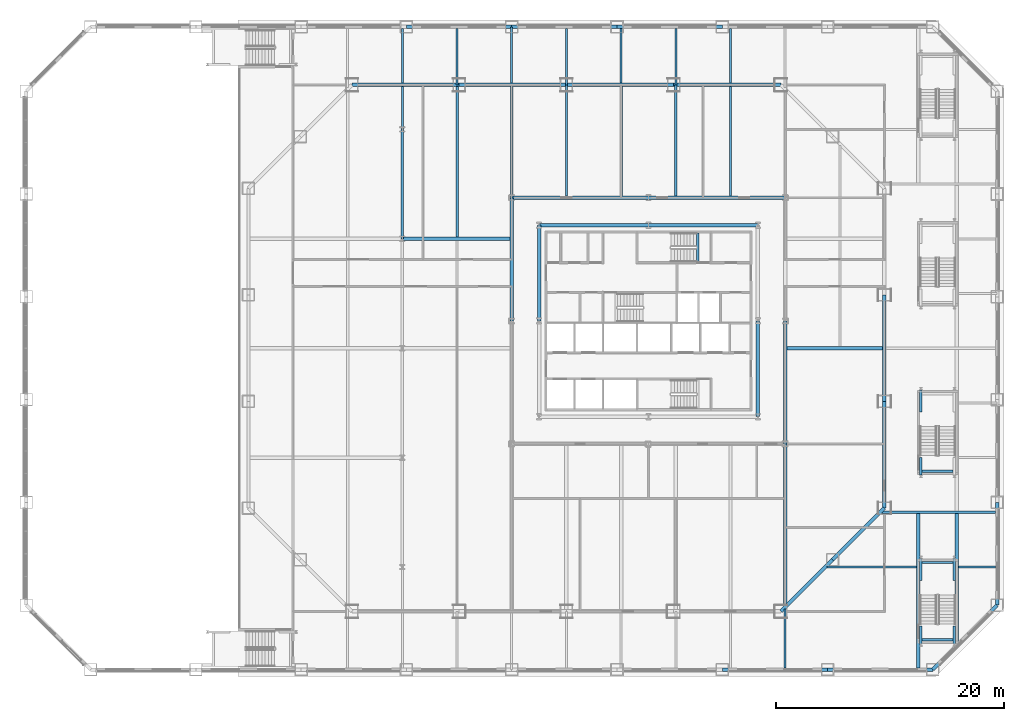
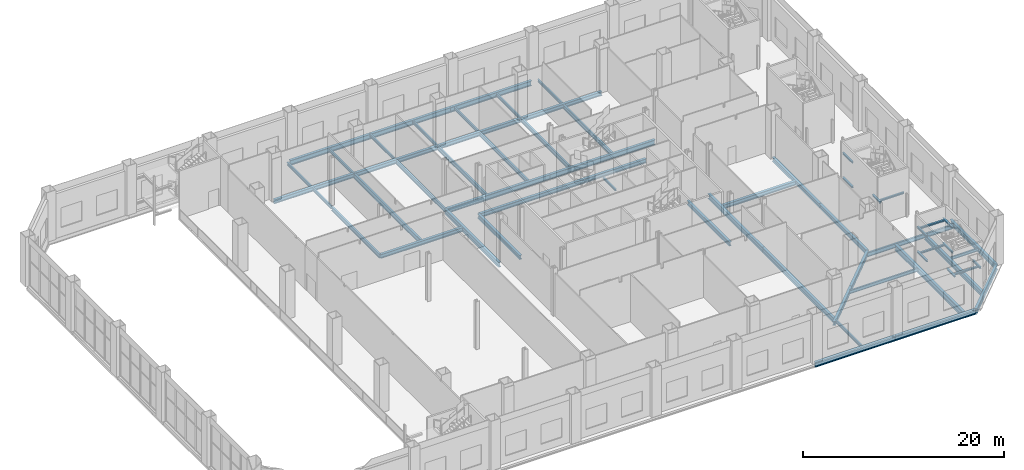
# One storey, part 12 of 31: 61 beams.
"""IFC4 building model written with IfcOpenShell, lengths in metres."""

from ifc_helpers import new_model, si_unit, direction, frame, origin, origin_2d, place, context, subcontext, project, spatial, i_section, extrude, material, material_profile, profile_set, type_object, element, save


model = new_model("IFC4")

# Units and contexts
model_context = context("Model", 3, precision=1e-05, world=origin(), true_north=direction((0.0, 1.0)))
body_context = subcontext(model_context, "Body", "Model", "MODEL_VIEW")
ifc_project = project(units=[si_unit("LENGTHUNIT", "METRE"), si_unit("AREAUNIT", "SQUARE_METRE"), si_unit("VOLUMEUNIT", "CUBIC_METRE"), si_unit("PLANEANGLEUNIT", "RADIAN"), si_unit("MASSUNIT", "GRAM", prefix="KILO")], contexts=[model_context])

# Site, building, storey
site_placement = place(None, origin())
site = spatial("IfcSite", under=ifc_project, at=site_placement, CompositionType="ELEMENT")
building_placement = place(site_placement, origin())
building = spatial("IfcBuilding", under=site, at=building_placement, Name="Cairn Pilgrim Tower", CompositionType="ELEMENT")
storey_placement = place(building_placement, frame((0.0, 0.0, 15.0)))
storey = spatial("IfcBuildingStorey", under=building, at=storey_placement, Name="L02", CompositionType="ELEMENT", Elevation=15.0)

# Beams
ifc_material = material(Name="Structural steel S355J2", Category="steel")
ifc_material_profile_1 = material_profile(ifc_material, i_section(OverallWidth=0.300048828125, OverallDepth=0.60009765625, WebThickness=0.015380859375, FlangeThickness=0.030029296875, FilletRadius=0.027099609375, at=origin_2d()), Name="HEB 600")
ifc_profile_set_1 = profile_set([ifc_material_profile_1], Name="Structural steel S355J2")
beam_type_1 = type_object("IfcBeamType", Name="PODIUM BEAM HE 600 B", PredefinedType="BEAM", material=ifc_profile_set_1)
beam_1_placement = place(storey_placement, frame((19.199951171875, -22.5751953125, -0.5), z_axis=(0.0, 1.0, 0.0), x_axis=(-1.0, 0.0, 0.0)))
element("IfcBeam", 1, at=beam_1_placement, inside=storey, type_object=beam_type_1, Name="PODIUM BEAM PB-HE600B", PredefinedType="BEAM", context=body_context, shape_type="SweptSolid", body=[
    extrude(i_section(OverallWidth=0.300048828125, OverallDepth=0.60009765625, WebThickness=0.015380859375, FlangeThickness=0.030029296875, FilletRadius=0.027099609375, at=origin_2d()), origin(), (0.0, 0.0, 1.0), 14.17529296875),
])
ifc_material_profile_2 = material_profile(ifc_material, i_section(OverallWidth=0.169921875, OverallDepth=0.360107421875, WebThickness=0.008056640625, FlangeThickness=0.0126953125, FilletRadius=0.01806640625, at=origin_2d()), Name="IPE 360")
ifc_profile_set_2 = profile_set([ifc_material_profile_2], Name="Structural steel S355J2")
beam_type_2 = type_object("IfcBeamType", Name="PODIUM BEAM IPE 360", PredefinedType="BEAM", material=ifc_profile_set_2)
beam_2_placement = place(storey_placement, frame((-14.39990234375, 19.199951171875, -0.3798828125), z_axis=(0.0, 1.0, 0.0), x_axis=(-1.0, 0.0, 0.0)))
element("IfcBeam", 2, at=beam_2_placement, inside=storey, type_object=beam_type_2, Name="PODIUM BEAM PB-IPE360", PredefinedType="BEAM", context=body_context, shape_type="SweptSolid", body=[
    extrude(i_section(OverallWidth=0.169921875, OverallDepth=0.360107421875, WebThickness=0.008056640625, FlangeThickness=0.0126953125, FilletRadius=0.01806640625, at=origin_2d()), origin(), (0.0, 0.0, 1.0), 3.748046875),
])
beam_3_placement = place(storey_placement, frame((34.422119140625, -19.199951171875, -0.3798828125), z_axis=(1.0, 0.0, 0.0), x_axis=(0.0, 1.0, 0.0)))
element("IfcBeam", 3, at=beam_3_placement, inside=storey, type_object=beam_type_2, Name="PODIUM BEAM PB-IPE360", PredefinedType="BEAM", context=body_context, shape_type="SweptSolid", body=[
    extrude(i_section(OverallWidth=0.169921875, OverallDepth=0.360107421875, WebThickness=0.008056640625, FlangeThickness=0.0126953125, FilletRadius=0.01806640625, at=origin_2d()), origin(), (0.0, 0.0, 1.0), 3.225830078125),
])
beam_4_placement = place(storey_placement, frame((-14.39990234375, 23.251953125, -0.3798828125), z_axis=(0.0, 1.0, 0.0), x_axis=(-1.0, 0.0, 0.0)))
element("IfcBeam", 4, at=beam_4_placement, inside=storey, type_object=beam_type_2, Name="PODIUM BEAM PB-IPE360", PredefinedType="BEAM", context=body_context, shape_type="SweptSolid", body=[
    extrude(i_section(OverallWidth=0.169921875, OverallDepth=0.360107421875, WebThickness=0.008056640625, FlangeThickness=0.0126953125, FilletRadius=0.01806640625, at=origin_2d()), origin(), (0.0, 0.0, 1.0), 4.796142578125),
])
for number, where, z_axis, x_axis, name in (
    (5, (-9.60009765625, 23.10009765625, -0.3798828125), (0.0, 1.0, 0.0), (-1.0, 0.0, 0.0), "PODIUM BEAM PB-IPE360"),
    (6, (-4.800048828125, 23.251953125, -0.3798828125), (0.0, 1.0, 0.0), (-1.0, 0.0, 0.0), "PODIUM BEAM PB-IPE360"),
    (7, (0.0, 23.10009765625, -0.3798828125), (0.0, 1.0, 0.0), (-1.0, 0.0, 0.0), "PODIUM BEAM PB-IPE360"),
):
    element("IfcBeam", number, at=place(storey_placement, frame(where, z_axis=z_axis, x_axis=x_axis)), inside=storey, type_object=beam_type_2, Name=name, PredefinedType="BEAM", context=body_context, shape_type="SweptSolid", body=[
        extrude(i_section(OverallWidth=0.169921875, OverallDepth=0.360107421875, WebThickness=0.008056640625, FlangeThickness=0.0126953125, FilletRadius=0.01806640625, at=origin_2d()), origin(), (0.0, 0.0, 1.0), 4.947998046875),
    ])
beam_5_placement = place(storey_placement, frame((4.800048828125, 23.251953125, -0.3798828125), z_axis=(0.0, 1.0, 0.0), x_axis=(-1.0, 0.0, 0.0)))
element("IfcBeam", 8, at=beam_5_placement, inside=storey, type_object=beam_type_2, Name="PODIUM BEAM PB-IPE360", PredefinedType="BEAM", context=body_context, shape_type="SweptSolid", body=[
    extrude(i_section(OverallWidth=0.169921875, OverallDepth=0.360107421875, WebThickness=0.008056640625, FlangeThickness=0.0126953125, FilletRadius=0.01806640625, at=origin_2d()), origin(), (0.0, 0.0, 1.0), 4.796142578125),
])
beam_6_placement = place(storey_placement, frame((9.60009765625, 23.10009765625, -0.3798828125), z_axis=(0.0, 1.0, 0.0), x_axis=(-1.0, 0.0, 0.0)))
element("IfcBeam", 9, at=beam_6_placement, inside=storey, type_object=beam_type_2, Name="PODIUM BEAM PB-IPE360", PredefinedType="BEAM", context=body_context, shape_type="SweptSolid", body=[
    extrude(i_section(OverallWidth=0.169921875, OverallDepth=0.360107421875, WebThickness=0.008056640625, FlangeThickness=0.0126953125, FilletRadius=0.01806640625, at=origin_2d()), origin(), (0.0, 0.0, 1.0), 4.947998046875),
])
beam_7_placement = place(storey_placement, frame((14.39990234375, 23.251953125, -0.3798828125), z_axis=(0.0, 1.0, 0.0), x_axis=(-1.0, 0.0, 0.0)))
element("IfcBeam", 10, at=beam_7_placement, inside=storey, type_object=beam_type_2, Name="PODIUM BEAM PB-IPE360", PredefinedType="BEAM", context=body_context, shape_type="SweptSolid", body=[
    extrude(i_section(OverallWidth=0.169921875, OverallDepth=0.360107421875, WebThickness=0.008056640625, FlangeThickness=0.0126953125, FilletRadius=0.01806640625, at=origin_2d()), origin(), (0.0, 0.0, 1.0), 4.796142578125),
])
beam_8_placement = place(storey_placement, frame((19.199951171875, -28.048095703125, -0.3798828125), z_axis=(0.0, 1.0, 0.0), x_axis=(-1.0, 0.0, 0.0)))
element("IfcBeam", 11, at=beam_8_placement, inside=storey, type_object=beam_type_2, Name="PODIUM BEAM PB-IPE360", PredefinedType="BEAM", context=body_context, shape_type="SweptSolid", body=[
    extrude(i_section(OverallWidth=0.169921875, OverallDepth=0.360107421875, WebThickness=0.008056640625, FlangeThickness=0.0126953125, FilletRadius=0.01806640625, at=origin_2d()), origin(), (0.0, 0.0, 1.0), 5.1689453125),
])
ifc_material_profile_3 = material_profile(ifc_material, i_section(OverallWidth=0.179931640625, OverallDepth=0.39990234375, WebThickness=0.008544921875, FlangeThickness=0.013427734375, FilletRadius=0.02099609375, at=origin_2d()), Name="IPE 400")
ifc_profile_set_3 = profile_set([ifc_material_profile_3], Name="Structural steel S355J2")
beam_type_3 = type_object("IfcBeamType", Name="PODIUM BEAM IPE 400", PredefinedType="BEAM", material=ifc_profile_set_3)
beam_9_placement = place(storey_placement, frame((22.879150390625, -19.199951171875, -0.39990234375), z_axis=(1.0, 0.0, 0.0), x_axis=(0.0, 1.0, 0.0)))
element("IfcBeam", 12, at=beam_9_placement, inside=storey, type_object=beam_type_3, Name="PODIUM BEAM PB-IPE400", PredefinedType="BEAM", context=body_context, shape_type="SweptSolid", body=[
    extrude(i_section(OverallWidth=0.179931640625, OverallDepth=0.39990234375, WebThickness=0.008544921875, FlangeThickness=0.013427734375, FilletRadius=0.02099609375, at=origin_2d()), origin(), (0.0, 0.0, 1.0), 7.848876953125),
])
ifc_material_profile_4 = material_profile(ifc_material, i_section(OverallWidth=0.199951171875, OverallDepth=0.5, WebThickness=0.01025390625, FlangeThickness=0.01611328125, FilletRadius=0.02099609375, at=origin_2d()), Name="IPE 500")
ifc_profile_set_4 = profile_set([ifc_material_profile_4], Name="Structural steel S355J2")
beam_type_4 = type_object("IfcBeamType", Name="PODIUM BEAM IPE 500", PredefinedType="BEAM", material=ifc_profile_set_4)
beam_10_placement = place(storey_placement, frame((-14.39990234375, 9.60009765625, -0.449951171875), z_axis=(0.0, 1.0, 0.0), x_axis=(-1.0, 0.0, 0.0)))
element("IfcBeam", 13, at=beam_10_placement, inside=storey, type_object=beam_type_4, Name="PODIUM BEAM PB-IPE500", PredefinedType="BEAM", context=body_context, shape_type="SweptSolid", body=[
    extrude(i_section(OverallWidth=0.199951171875, OverallDepth=0.5, WebThickness=0.01025390625, FlangeThickness=0.01611328125, FilletRadius=0.02099609375, at=origin_2d()), origin(), (0.0, 0.0, 1.0), 9.599853515625),
])
for number, where, z_axis, x_axis, name in (
    (14, (-4.800048828125, 13.199951171875, -0.449951171875), (0.0, 1.0, 0.0), (-1.0, 0.0, 0.0), "PODIUM BEAM PB-IPE500"),
    (15, (0.0, 13.35205078125, -0.449951171875), (0.0, 1.0, 0.0), (-1.0, 0.0, 0.0), "PODIUM BEAM PB-IPE500"),
):
    element("IfcBeam", number, at=place(storey_placement, frame(where, z_axis=z_axis, x_axis=x_axis)), inside=storey, type_object=beam_type_4, Name=name, PredefinedType="BEAM", context=body_context, shape_type="SweptSolid", body=[
        extrude(i_section(OverallWidth=0.199951171875, OverallDepth=0.5, WebThickness=0.01025390625, FlangeThickness=0.01611328125, FilletRadius=0.02099609375, at=origin_2d()), origin(), (0.0, 0.0, 1.0), 9.748046875),
    ])
beam_11_placement = place(storey_placement, frame((4.800048828125, 13.35205078125, -0.449951171875), z_axis=(0.0, 1.0, 0.0), x_axis=(-1.0, 0.0, 0.0)))
element("IfcBeam", 16, at=beam_11_placement, inside=storey, type_object=beam_type_4, Name="PODIUM BEAM PB-IPE500", PredefinedType="BEAM", context=body_context, shape_type="SweptSolid", body=[
    extrude(i_section(OverallWidth=0.199951171875, OverallDepth=0.5, WebThickness=0.01025390625, FlangeThickness=0.01611328125, FilletRadius=0.02099609375, at=origin_2d()), origin(), (0.0, 0.0, 1.0), 9.595947265625),
])
beam_12_placement = place(storey_placement, frame((9.60009765625, 13.35205078125, -0.449951171875), z_axis=(0.0, 1.0, 0.0), x_axis=(-1.0, 0.0, 0.0)))
element("IfcBeam", 17, at=beam_12_placement, inside=storey, type_object=beam_type_4, Name="PODIUM BEAM PB-IPE500", PredefinedType="BEAM", context=body_context, shape_type="SweptSolid", body=[
    extrude(i_section(OverallWidth=0.199951171875, OverallDepth=0.5, WebThickness=0.01025390625, FlangeThickness=0.01611328125, FilletRadius=0.02099609375, at=origin_2d()), origin(), (0.0, 0.0, 1.0), 9.748046875),
])
beam_13_placement = place(storey_placement, frame((14.39990234375, 13.35205078125, -0.449951171875), z_axis=(0.0, 1.0, 0.0), x_axis=(-1.0, 0.0, 0.0)))
element("IfcBeam", 18, at=beam_13_placement, inside=storey, type_object=beam_type_4, Name="PODIUM BEAM PB-IPE500", PredefinedType="BEAM", context=body_context, shape_type="SweptSolid", body=[
    extrude(i_section(OverallWidth=0.199951171875, OverallDepth=0.5, WebThickness=0.01025390625, FlangeThickness=0.01611328125, FilletRadius=0.02099609375, at=origin_2d()), origin(), (0.0, 0.0, 1.0), 9.595947265625),
])
beam_14_placement = place(storey_placement, frame((27.67919921875, -14.39990234375, -0.449951171875), z_axis=(1.0, 0.0, 0.0), x_axis=(0.0, 1.0, 0.0)))
element("IfcBeam", 19, at=beam_14_placement, inside=storey, type_object=beam_type_4, Name="PODIUM BEAM PB-IPE500", PredefinedType="BEAM", context=body_context, shape_type="SweptSolid", body=[
    extrude(i_section(OverallWidth=0.199951171875, OverallDepth=0.5, WebThickness=0.01025390625, FlangeThickness=0.01611328125, FilletRadius=0.02099609375, at=origin_2d()), origin(), (0.0, 0.0, 1.0), 9.96875),
])
ifc_material_profile_5 = material_profile(ifc_material, i_section(OverallWidth=0.219970703125, OverallDepth=0.60009765625, WebThickness=0.011962890625, FlangeThickness=0.01904296875, FilletRadius=0.02392578125, at=origin_2d()), Name="IPE 600")
ifc_profile_set_5 = profile_set([ifc_material_profile_5], Name="Structural steel S355J2")
beam_type_5 = type_object("IfcBeamType", Name="PODIUM BEAM IPE 600", PredefinedType="BEAM", material=ifc_profile_set_5)
beam_15_placement = place(storey_placement, frame((-9.60009765625, 9.751953125, -0.5), z_axis=(0.0, 1.0, 0.0), x_axis=(-1.0, 0.0, 0.0)))
element("IfcBeam", 20, at=beam_15_placement, inside=storey, type_object=beam_type_5, Name="PODIUM BEAM PB-IPE600", PredefinedType="BEAM", context=body_context, shape_type="SweptSolid", body=[
    extrude(i_section(OverallWidth=0.219970703125, OverallDepth=0.60009765625, WebThickness=0.011962890625, FlangeThickness=0.01904296875, FilletRadius=0.02392578125, at=origin_2d()), origin(), (0.0, 0.0, 1.0), 13.34814453125),
])
ifc_material_profile_6 = material_profile(ifc_material, i_section(OverallWidth=0.300048828125, OverallDepth=0.60009765625, WebThickness=0.015380859375, FlangeThickness=0.030029296875, FilletRadius=0.027099609375, at=origin_2d()), Name="HEB 600")
ifc_profile_set_6 = profile_set([ifc_material_profile_6], Name="Structural steel S355J2")
beam_type_6 = type_object("IfcBeamType", Name="PODIUM EDGE GIRDER HE 600 B", PredefinedType="BEAM", material=ifc_profile_set_6)
beam_16_placement = place(storey_placement, frame((13.67578125, -28.199951171875, -0.5), z_axis=(1.0, 0.0, 0.0), x_axis=(0.0, 1.0, 0.0)))
element("IfcBeam", 21, at=beam_16_placement, inside=storey, type_object=beam_type_6, Name="PODIUM EDGE GIRDER PE-HE600B", PredefinedType="BEAM", context=body_context, shape_type="SweptSolid", body=[
    extrude(i_section(OverallWidth=0.300048828125, OverallDepth=0.60009765625, WebThickness=0.015380859375, FlangeThickness=0.030029296875, FilletRadius=0.027099609375, at=origin_2d()), origin(), (0.0, 0.0, 1.0), 9.23779296875),
])
beam_17_placement = place(storey_placement, frame((22.91357421875, -28.199951171875, -0.5), z_axis=(1.0, 0.0, 0.0), x_axis=(0.0, 1.0, 0.0)))
element("IfcBeam", 22, at=beam_17_placement, inside=storey, type_object=beam_type_6, Name="PODIUM EDGE GIRDER PE-HE600B", PredefinedType="BEAM", context=body_context, shape_type="SweptSolid", body=[
    extrude(i_section(OverallWidth=0.300048828125, OverallDepth=0.60009765625, WebThickness=0.015380859375, FlangeThickness=0.030029296875, FilletRadius=0.027099609375, at=origin_2d()), origin(), (0.0, 0.0, 1.0), 9.238037109375),
])
beam_18_placement = place(storey_placement, frame((32.151611328125, -28.199951171875, -0.5), z_axis=(0.707106781187, 0.707106781187, 0.0), x_axis=(-0.707106781187, 0.707106781187, 0.0)))
element("IfcBeam", 23, at=beam_18_placement, inside=storey, type_object=beam_type_6, Name="PODIUM EDGE GIRDER PE-HE600B", PredefinedType="BEAM", context=body_context, shape_type="SweptSolid", body=[
    extrude(i_section(OverallWidth=0.300048828125, OverallDepth=0.60009765625, WebThickness=0.015380859375, FlangeThickness=0.030029296875, FilletRadius=0.027099609375, at=origin_2d()), origin(), (0.0, 0.0, 1.0), 7.988037109375),
])
beam_19_placement = place(storey_placement, frame((37.800048828125, -22.551513671875, -0.5), z_axis=(0.0, 1.0, 0.0), x_axis=(-1.0, 0.0, 0.0)))
element("IfcBeam", 24, at=beam_19_placement, inside=storey, type_object=beam_type_6, Name="PODIUM EDGE GIRDER PE-HE600B", PredefinedType="BEAM", context=body_context, shape_type="SweptSolid", body=[
    extrude(i_section(OverallWidth=0.300048828125, OverallDepth=0.60009765625, WebThickness=0.015380859375, FlangeThickness=0.030029296875, FilletRadius=0.027099609375, at=origin_2d()), origin(), (0.0, 0.0, 1.0), 9.0205078125),
])
beam_20_placement = place(storey_placement, frame((13.67578125, 28.199951171875, -0.5), z_axis=(-1.0, 0.0, 0.0), x_axis=(0.0, -1.0, 0.0)))
element("IfcBeam", 25, at=beam_20_placement, inside=storey, type_object=beam_type_6, Name="PODIUM EDGE GIRDER PE-HE600B", PredefinedType="BEAM", context=body_context, shape_type="SweptSolid", body=[
    extrude(i_section(OverallWidth=0.300048828125, OverallDepth=0.60009765625, WebThickness=0.015380859375, FlangeThickness=0.030029296875, FilletRadius=0.027099609375, at=origin_2d()), origin(), (0.0, 0.0, 1.0), 9.23779296875),
])
beam_21_placement = place(storey_placement, frame((4.43798828125, 28.199951171875, -0.5), z_axis=(-1.0, 0.0, 0.0), x_axis=(0.0, -1.0, 0.0)))
element("IfcBeam", 26, at=beam_21_placement, inside=storey, type_object=beam_type_6, Name="PODIUM EDGE GIRDER PE-HE600B", PredefinedType="BEAM", context=body_context, shape_type="SweptSolid", body=[
    extrude(i_section(OverallWidth=0.300048828125, OverallDepth=0.60009765625, WebThickness=0.015380859375, FlangeThickness=0.030029296875, FilletRadius=0.027099609375, at=origin_2d()), origin(), (0.0, 0.0, 1.0), 9.238037109375),
])
beam_22_placement = place(storey_placement, frame((-4.800048828125, 28.199951171875, -0.5), z_axis=(-1.0, 0.0, 0.0), x_axis=(0.0, -1.0, 0.0)))
element("IfcBeam", 27, at=beam_22_placement, inside=storey, type_object=beam_type_6, Name="PODIUM EDGE GIRDER PE-HE600B", PredefinedType="BEAM", context=body_context, shape_type="SweptSolid", body=[
    extrude(i_section(OverallWidth=0.300048828125, OverallDepth=0.60009765625, WebThickness=0.015380859375, FlangeThickness=0.030029296875, FilletRadius=0.027099609375, at=origin_2d()), origin(), (0.0, 0.0, 1.0), 9.23779296875),
])
ifc_material_profile_7 = material_profile(ifc_material, i_section(OverallWidth=0.300048828125, OverallDepth=0.5, WebThickness=0.014404296875, FlangeThickness=0.028076171875, FilletRadius=0.027099609375, at=origin_2d()), Name="HEB 500")
ifc_profile_set_7 = profile_set([ifc_material_profile_7], Name="Structural steel S355J2")
beam_type_7 = type_object("IfcBeamType", Name="PODIUM GIRDER HE 500 B", PredefinedType="BEAM", material=ifc_profile_set_7)
for number, where, z_axis, x_axis, name in (
    (28, (18.8271484375, -23.10009765625, -0.449951171875), (0.707106781187, 0.707106781187, 0.0), (-0.707106781187, 0.707106781187, 0.0), "PODIUM GIRDER PG-HE500B"),
    (29, (23.363525390625, -18.563720703125, -0.449951171875), (0.707087753759, 0.707125808102, 0.0), (-0.707125808102, 0.707087753759, 0.0), "PODIUM GIRDER PG-HE500B"),
):
    element("IfcBeam", number, at=place(storey_placement, frame(where, z_axis=z_axis, x_axis=x_axis)), inside=storey, type_object=beam_type_7, Name=name, PredefinedType="BEAM", context=body_context, shape_type="SweptSolid", body=[
        extrude(i_section(OverallWidth=0.300048828125, OverallDepth=0.5, WebThickness=0.014404296875, FlangeThickness=0.028076171875, FilletRadius=0.027099609375, at=origin_2d()), origin(), (0.0, 0.0, 1.0), 6.41552734375),
    ])
beam_23_placement = place(storey_placement, frame((27.89990234375, -14.027099609375, -0.449951171875), z_axis=(0.0, 1.0, 0.0), x_axis=(-1.0, 0.0, 0.0)))
element("IfcBeam", 30, at=beam_23_placement, inside=storey, type_object=beam_type_7, Name="PODIUM GIRDER PG-HE500B", PredefinedType="BEAM", context=body_context, shape_type="SweptSolid", body=[
    extrude(i_section(OverallWidth=0.300048828125, OverallDepth=0.5, WebThickness=0.014404296875, FlangeThickness=0.028076171875, FilletRadius=0.027099609375, at=origin_2d()), origin(), (0.0, 0.0, 1.0), 9.351318359375),
])
beam_24_placement = place(storey_placement, frame((27.89990234375, -4.67578125, -0.449951171875), z_axis=(0.0, 1.0, 0.0), x_axis=(-1.0, 0.0, 0.0)))
element("IfcBeam", 31, at=beam_24_placement, inside=storey, type_object=beam_type_7, Name="PODIUM GIRDER PG-HE500B", PredefinedType="BEAM", context=body_context, shape_type="SweptSolid", body=[
    extrude(i_section(OverallWidth=0.300048828125, OverallDepth=0.5, WebThickness=0.014404296875, FlangeThickness=0.028076171875, FilletRadius=0.027099609375, at=origin_2d()), origin(), (0.0, 0.0, 1.0), 9.3515625),
])
for number, where, z_axis, x_axis, name in (
    (32, (18.8271484375, 23.10009765625, -0.449951171875), (-1.0, 0.0, 0.0), (0.0, -1.0, 0.0), "PODIUM GIRDER PG-HE500B"),
    (33, (9.41357421875, 23.10009765625, -0.449951171875), (-1.0, 0.0, 0.0), (0.0, -1.0, 0.0), "PODIUM GIRDER PG-HE500B"),
    (34, (0.0, 23.10009765625, -0.449951171875), (-1.0, 0.0, 0.0), (0.0, -1.0, 0.0), "PODIUM GIRDER PG-HE500B"),
    (35, (-9.41357421875, 23.10009765625, -0.449951171875), (-1.0, 0.0, 0.0), (0.0, -1.0, 0.0), "PODIUM GIRDER PG-HE500B"),
):
    element("IfcBeam", number, at=place(storey_placement, frame(where, z_axis=z_axis, x_axis=x_axis)), inside=storey, type_object=beam_type_7, Name=name, PredefinedType="BEAM", context=body_context, shape_type="SweptSolid", body=[
        extrude(i_section(OverallWidth=0.300048828125, OverallDepth=0.5, WebThickness=0.014404296875, FlangeThickness=0.028076171875, FilletRadius=0.027099609375, at=origin_2d()), origin(), (0.0, 0.0, 1.0), 9.41357421875),
    ])
beam_25_placement = place(storey_placement, frame((16.800048828125, -6.0, -0.449951171875), z_axis=(0.0, 1.0, 0.0), x_axis=(-1.0, 0.0, 0.0)))
element("IfcBeam", 36, at=beam_25_placement, inside=storey, type_object=beam_type_7, Name="PODIUM GIRDER PG-HE500B", PredefinedType="BEAM", context=body_context, shape_type="SweptSolid", body=[
    extrude(i_section(OverallWidth=0.300048828125, OverallDepth=0.5, WebThickness=0.014404296875, FlangeThickness=0.028076171875, FilletRadius=0.027099609375, at=origin_2d()), origin(), (0.0, 0.0, 1.0), 8.39990234375),
])
beam_26_placement = place(storey_placement, frame((16.800048828125, 10.800048828125, -0.449951171875), z_axis=(-1.0, 0.0, 0.0), x_axis=(0.0, -1.0, 0.0)))
element("IfcBeam", 37, at=beam_26_placement, inside=storey, type_object=beam_type_7, Name="PODIUM GIRDER PG-HE500B", PredefinedType="BEAM", context=body_context, shape_type="SweptSolid", body=[
    extrude(i_section(OverallWidth=0.300048828125, OverallDepth=0.5, WebThickness=0.014404296875, FlangeThickness=0.028076171875, FilletRadius=0.027099609375, at=origin_2d()), origin(), (0.0, 0.0, 1.0), 9.60009765625),
])
beam_27_placement = place(storey_placement, frame((7.199951171875, 10.800048828125, -0.449951171875), z_axis=(-1.0, 0.0, 0.0), x_axis=(0.0, -1.0, 0.0)))
element("IfcBeam", 38, at=beam_27_placement, inside=storey, type_object=beam_type_7, Name="PODIUM GIRDER PG-HE500B", PredefinedType="BEAM", context=body_context, shape_type="SweptSolid", body=[
    extrude(i_section(OverallWidth=0.300048828125, OverallDepth=0.5, WebThickness=0.014404296875, FlangeThickness=0.028076171875, FilletRadius=0.027099609375, at=origin_2d()), origin(), (0.0, 0.0, 1.0), 9.599853515625),
])
beam_28_placement = place(storey_placement, frame((-2.39990234375, 10.800048828125, -0.449951171875), z_axis=(0.0, -1.0, 0.0), x_axis=(1.0, 0.0, 0.0)))
element("IfcBeam", 39, at=beam_28_placement, inside=storey, type_object=beam_type_7, Name="PODIUM GIRDER PG-HE500B", PredefinedType="BEAM", context=body_context, shape_type="SweptSolid", body=[
    extrude(i_section(OverallWidth=0.300048828125, OverallDepth=0.5, WebThickness=0.014404296875, FlangeThickness=0.028076171875, FilletRadius=0.027099609375, at=origin_2d()), origin(), (0.0, 0.0, 1.0), 8.400146484375),
])
beam_29_placement = place(storey_placement, frame((19.35205078125, 0.0, -0.449951171875), z_axis=(1.0, 0.0, 0.0), x_axis=(0.0, 1.0, 0.0)))
element("IfcBeam", 40, at=beam_29_placement, inside=storey, type_object=beam_type_7, Name="PODIUM GIRDER PG-HE500B", PredefinedType="BEAM", context=body_context, shape_type="SweptSolid", body=[
    extrude(i_section(OverallWidth=0.300048828125, OverallDepth=0.5, WebThickness=0.014404296875, FlangeThickness=0.028076171875, FilletRadius=0.027099609375, at=origin_2d()), origin(), (0.0, 0.0, 1.0), 8.39599609375),
])
beam_30_placement = place(storey_placement, frame((-14.39990234375, 9.60009765625, -0.449951171875), z_axis=(1.0, 0.0, 0.0), x_axis=(0.0, 1.0, 0.0)))
element("IfcBeam", 41, at=beam_30_placement, inside=storey, type_object=beam_type_7, Name="PODIUM GIRDER PG-HE500B", PredefinedType="BEAM", context=body_context, shape_type="SweptSolid", body=[
    extrude(i_section(OverallWidth=0.300048828125, OverallDepth=0.5, WebThickness=0.014404296875, FlangeThickness=0.028076171875, FilletRadius=0.027099609375, at=origin_2d()), origin(), (0.0, 0.0, 1.0), 9.447998046875),
])
ifc_material_profile_8 = material_profile(ifc_material, i_section(OverallWidth=0.300048828125, OverallDepth=0.60009765625, WebThickness=0.015380859375, FlangeThickness=0.030029296875, FilletRadius=0.027099609375, at=origin_2d()), Name="HEB 600")
ifc_profile_set_8 = profile_set([ifc_material_profile_8], Name="Structural steel S355J2")
beam_type_8 = type_object("IfcBeamType", Name="PODIUM GIRDER HE 600 B", PredefinedType="BEAM", material=ifc_profile_set_8)
beam_31_placement = place(storey_placement, frame((19.199951171875, -8.39990234375, -0.5), z_axis=(0.0, 1.0, 0.0), x_axis=(-1.0, 0.0, 0.0)))
element("IfcBeam", 42, at=beam_31_placement, inside=storey, type_object=beam_type_8, Name="PODIUM GIRDER PG-HE600B", PredefinedType="BEAM", context=body_context, shape_type="SweptSolid", body=[
    extrude(i_section(OverallWidth=0.300048828125, OverallDepth=0.60009765625, WebThickness=0.015380859375, FlangeThickness=0.030029296875, FilletRadius=0.027099609375, at=origin_2d()), origin(), (0.0, 0.0, 1.0), 10.7998046875),
])
for number, where, z_axis, x_axis, name in (
    (43, (19.199951171875, 13.199951171875, -0.5), (-1.0, 0.0, 0.0), (0.0, -1.0, 0.0), "PODIUM GIRDER PG-HE600B"),
    (44, (7.199951171875, 13.199951171875, -0.5), (-1.0, 0.0, 0.0), (0.0, -1.0, 0.0), "PODIUM GIRDER PG-HE600B"),
):
    element("IfcBeam", number, at=place(storey_placement, frame(where, z_axis=z_axis, x_axis=x_axis)), inside=storey, type_object=beam_type_8, Name=name, PredefinedType="BEAM", context=body_context, shape_type="SweptSolid", body=[
        extrude(i_section(OverallWidth=0.300048828125, OverallDepth=0.60009765625, WebThickness=0.015380859375, FlangeThickness=0.030029296875, FilletRadius=0.027099609375, at=origin_2d()), origin(), (0.0, 0.0, 1.0), 12.0),
    ])
beam_32_placement = place(storey_placement, frame((-4.800048828125, 13.199951171875, -0.5), z_axis=(0.0, -1.0, 0.0), x_axis=(1.0, 0.0, 0.0)))
element("IfcBeam", 45, at=beam_32_placement, inside=storey, type_object=beam_type_8, Name="PODIUM GIRDER PG-HE600B", PredefinedType="BEAM", context=body_context, shape_type="SweptSolid", body=[
    extrude(i_section(OverallWidth=0.300048828125, OverallDepth=0.60009765625, WebThickness=0.015380859375, FlangeThickness=0.030029296875, FilletRadius=0.027099609375, at=origin_2d()), origin(), (0.0, 0.0, 1.0), 10.800048828125),
])
beam_33_placement = place(storey_placement, frame((34.27001953125, -25.929443359375, -0.5), z_axis=(0.0, 1.0, 0.0), x_axis=(-1.0, 0.0, 0.0)))
element("IfcBeam", 46, at=beam_33_placement, inside=storey, type_object=beam_type_8, Name="PODIUM GIRDER PG-HE600B", PredefinedType="BEAM", context=body_context, shape_type="SweptSolid", body=[
    extrude(i_section(OverallWidth=0.300048828125, OverallDepth=0.60009765625, WebThickness=0.015380859375, FlangeThickness=0.030029296875, FilletRadius=0.027099609375, at=origin_2d()), origin(), (0.0, 0.0, 1.0), 11.427490234375),
])
ifc_material_profile_9 = material_profile(ifc_material, i_section(OverallWidth=0.300048828125, OverallDepth=0.699951171875, WebThickness=0.01708984375, FlangeThickness=0.031982421875, FilletRadius=0.027099609375, at=origin_2d()), Name="HEB 700")
ifc_profile_set_9 = profile_set([ifc_material_profile_9], Name="Structural steel S355J2")
beam_type_9 = type_object("IfcBeamType", Name="PODIUM GIRDER HE 700 B", PredefinedType="BEAM", material=ifc_profile_set_9)
beam_34_placement = place(storey_placement, frame((30.8798828125, -28.048095703125, -0.550048828125), z_axis=(0.0, 1.0, 0.0), x_axis=(-1.0, 0.0, 0.0)))
element("IfcBeam", 47, at=beam_34_placement, inside=storey, type_object=beam_type_9, Name="PODIUM GIRDER PG-HE700B", PredefinedType="BEAM", context=body_context, shape_type="SweptSolid", body=[
    extrude(i_section(OverallWidth=0.300048828125, OverallDepth=0.699951171875, WebThickness=0.01708984375, FlangeThickness=0.031982421875, FilletRadius=0.027099609375, at=origin_2d()), origin(), (0.0, 0.0, 1.0), 13.546142578125),
])
ifc_material_profile_10 = material_profile(ifc_material, i_section(OverallWidth=0.199951171875, OverallDepth=0.199951171875, WebThickness=0.009033203125, FlangeThickness=0.014892578125, FilletRadius=0.01806640625, at=origin_2d()), Name="HE 200 B")
ifc_profile_set_10 = profile_set([ifc_material_profile_10], Name="Structural steel S355J2")
beam_type_10 = type_object("IfcBeamType", Name="STAIR LANDING BEAM HE 200 B", PredefinedType="BEAM", material=ifc_profile_set_10)
for number, where, z_axis, x_axis, name in (
    (48, (31.10498046875, -18.4599609375, 1.199951171875), (0.0, -1.0, 0.0), (1.0, 0.0, 0.0), "STAIR LANDING BEAM LD-HE200B"),
    (49, (34.044921875, -18.4599609375, 1.199951171875), (0.0, -1.0, 0.0), (1.0, 0.0, 0.0), "STAIR LANDING BEAM LD-HE200B"),
):
    element("IfcBeam", number, at=place(storey_placement, frame(where, z_axis=z_axis, x_axis=x_axis)), inside=storey, type_object=beam_type_10, Name=name, PredefinedType="BEAM", context=body_context, shape_type="SweptSolid", body=[
        extrude(i_section(OverallWidth=0.199951171875, OverallDepth=0.199951171875, WebThickness=0.009033203125, FlangeThickness=0.014892578125, FilletRadius=0.01806640625, at=origin_2d()), origin(), (0.0, 0.0, 1.0), 1.945068359375),
    ])
beam_35_placement = place(storey_placement, frame((31.205078125, -18.804931640625, 1.199951171875), z_axis=(1.0, 0.0, 0.0), x_axis=(0.0, 1.0, 0.0)))
element("IfcBeam", 50, at=beam_35_placement, inside=storey, type_object=beam_type_10, Name="STAIR LANDING BEAM LD-HE200B", PredefinedType="BEAM", context=body_context, shape_type="SweptSolid", body=[
    extrude(i_section(OverallWidth=0.199951171875, OverallDepth=0.199951171875, WebThickness=0.009033203125, FlangeThickness=0.014892578125, FilletRadius=0.01806640625, at=origin_2d()), origin(), (0.0, 0.0, 1.0), 2.739990234375),
])
for number, where, z_axis, x_axis, name in (
    (51, (31.10498046875, -25.93994140625, 2.699951171875), (0.0, 1.0, 0.0), (-1.0, 0.0, 0.0), "STAIR LANDING BEAM LD-HE200B"),
    (52, (34.044921875, -25.93994140625, 2.699951171875), (0.0, 1.0, 0.0), (-1.0, 0.0, 0.0), "STAIR LANDING BEAM LD-HE200B"),
):
    element("IfcBeam", number, at=place(storey_placement, frame(where, z_axis=z_axis, x_axis=x_axis)), inside=storey, type_object=beam_type_10, Name=name, PredefinedType="BEAM", context=body_context, shape_type="SweptSolid", body=[
        extrude(i_section(OverallWidth=0.199951171875, OverallDepth=0.199951171875, WebThickness=0.009033203125, FlangeThickness=0.014892578125, FilletRadius=0.01806640625, at=origin_2d()), origin(), (0.0, 0.0, 1.0), 1.544921875),
    ])
beam_36_placement = place(storey_placement, frame((31.205078125, -25.594970703125, 2.699951171875), z_axis=(1.0, 0.0, 0.0), x_axis=(0.0, 1.0, 0.0)))
element("IfcBeam", 53, at=beam_36_placement, inside=storey, type_object=beam_type_10, Name="STAIR LANDING BEAM LD-HE200B", PredefinedType="BEAM", context=body_context, shape_type="SweptSolid", body=[
    extrude(i_section(OverallWidth=0.199951171875, OverallDepth=0.199951171875, WebThickness=0.009033203125, FlangeThickness=0.014892578125, FilletRadius=0.01806640625, at=origin_2d()), origin(), (0.0, 0.0, 1.0), 2.739990234375),
])
for number, where, z_axis, x_axis, name in (
    (54, (31.10498046875, -18.4599609375, 4.199951171875), (0.0, -1.0, 0.0), (1.0, 0.0, 0.0), "STAIR LANDING BEAM LD-HE200B"),
    (55, (34.044921875, -18.4599609375, 4.199951171875), (0.0, -1.0, 0.0), (1.0, 0.0, 0.0), "STAIR LANDING BEAM LD-HE200B"),
):
    element("IfcBeam", number, at=place(storey_placement, frame(where, z_axis=z_axis, x_axis=x_axis)), inside=storey, type_object=beam_type_10, Name=name, PredefinedType="BEAM", context=body_context, shape_type="SweptSolid", body=[
        extrude(i_section(OverallWidth=0.199951171875, OverallDepth=0.199951171875, WebThickness=0.009033203125, FlangeThickness=0.014892578125, FilletRadius=0.01806640625, at=origin_2d()), origin(), (0.0, 0.0, 1.0), 1.945068359375),
    ])
beam_37_placement = place(storey_placement, frame((31.205078125, -18.804931640625, 4.199951171875), z_axis=(1.0, 0.0, 0.0), x_axis=(0.0, 1.0, 0.0)))
element("IfcBeam", 56, at=beam_37_placement, inside=storey, type_object=beam_type_10, Name="STAIR LANDING BEAM LD-HE200B", PredefinedType="BEAM", context=body_context, shape_type="SweptSolid", body=[
    extrude(i_section(OverallWidth=0.199951171875, OverallDepth=0.199951171875, WebThickness=0.009033203125, FlangeThickness=0.014892578125, FilletRadius=0.01806640625, at=origin_2d()), origin(), (0.0, 0.0, 1.0), 2.739990234375),
])
beam_38_placement = place(storey_placement, frame((31.10498046875, -3.659912109375, 1.199951171875), z_axis=(0.0, -1.0, 0.0), x_axis=(1.0, 0.0, 0.0)))
element("IfcBeam", 57, at=beam_38_placement, inside=storey, type_object=beam_type_10, Name="STAIR LANDING BEAM LD-HE200B", PredefinedType="BEAM", context=body_context, shape_type="SweptSolid", body=[
    extrude(i_section(OverallWidth=0.199951171875, OverallDepth=0.199951171875, WebThickness=0.009033203125, FlangeThickness=0.014892578125, FilletRadius=0.01806640625, at=origin_2d()), origin(), (0.0, 0.0, 1.0), 1.945068359375),
])
beam_39_placement = place(storey_placement, frame((31.10498046875, -11.139892578125, 2.699951171875), z_axis=(0.0, 1.0, 0.0), x_axis=(-1.0, 0.0, 0.0)))
element("IfcBeam", 58, at=beam_39_placement, inside=storey, type_object=beam_type_10, Name="STAIR LANDING BEAM LD-HE200B", PredefinedType="BEAM", context=body_context, shape_type="SweptSolid", body=[
    extrude(i_section(OverallWidth=0.199951171875, OverallDepth=0.199951171875, WebThickness=0.009033203125, FlangeThickness=0.014892578125, FilletRadius=0.01806640625, at=origin_2d()), origin(), (0.0, 0.0, 1.0), 1.544921875),
])
beam_40_placement = place(storey_placement, frame((31.205078125, -10.794921875, 2.699951171875), z_axis=(1.0, 0.0, 0.0), x_axis=(0.0, 1.0, 0.0)))
element("IfcBeam", 59, at=beam_40_placement, inside=storey, type_object=beam_type_10, Name="STAIR LANDING BEAM LD-HE200B", PredefinedType="BEAM", context=body_context, shape_type="SweptSolid", body=[
    extrude(i_section(OverallWidth=0.199951171875, OverallDepth=0.199951171875, WebThickness=0.009033203125, FlangeThickness=0.014892578125, FilletRadius=0.01806640625, at=origin_2d()), origin(), (0.0, 0.0, 1.0), 2.739990234375),
])
beam_41_placement = place(storey_placement, frame((31.10498046875, -3.659912109375, 4.199951171875), z_axis=(0.0, -1.0, 0.0), x_axis=(1.0, 0.0, 0.0)))
element("IfcBeam", 60, at=beam_41_placement, inside=storey, type_object=beam_type_10, Name="STAIR LANDING BEAM LD-HE200B", PredefinedType="BEAM", context=body_context, shape_type="SweptSolid", body=[
    extrude(i_section(OverallWidth=0.199951171875, OverallDepth=0.199951171875, WebThickness=0.009033203125, FlangeThickness=0.014892578125, FilletRadius=0.01806640625, at=origin_2d()), origin(), (0.0, 0.0, 1.0), 1.945068359375),
])
beam_42_placement = place(storey_placement, frame((11.5244140625, 10.10009765625, -0.300048828125), z_axis=(0.0, -1.0, 0.0), x_axis=(1.0, 0.0, 0.0)))
element("IfcBeam", 61, at=beam_42_placement, inside=storey, type_object=beam_type_10, Name="STAIR LANDING BEAM LD-HE200B", PredefinedType="BEAM", context=body_context, shape_type="SweptSolid", body=[
    extrude(i_section(OverallWidth=0.199951171875, OverallDepth=0.199951171875, WebThickness=0.009033203125, FlangeThickness=0.014892578125, FilletRadius=0.01806640625, at=origin_2d()), origin(), (0.0, 0.0, 1.0), 2.525146484375),
])

save(model, "model.ifc")
